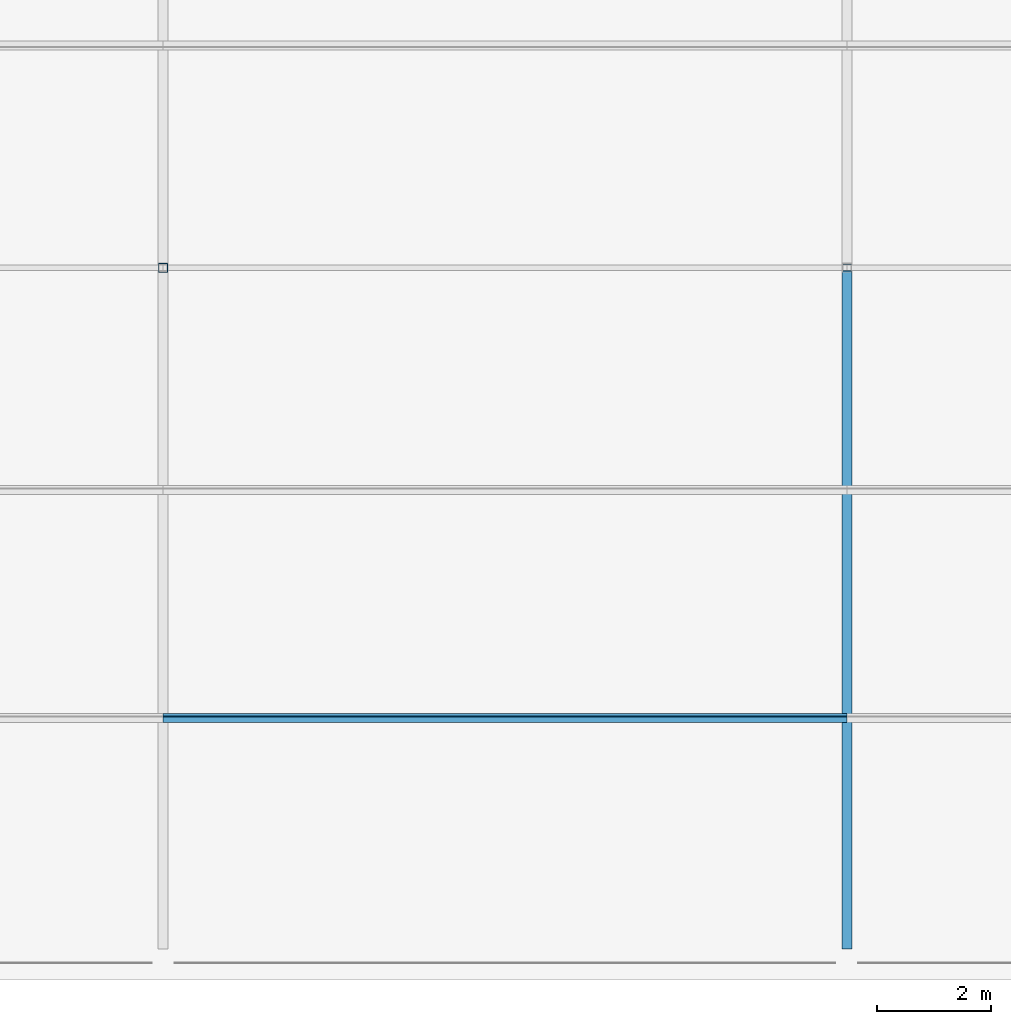
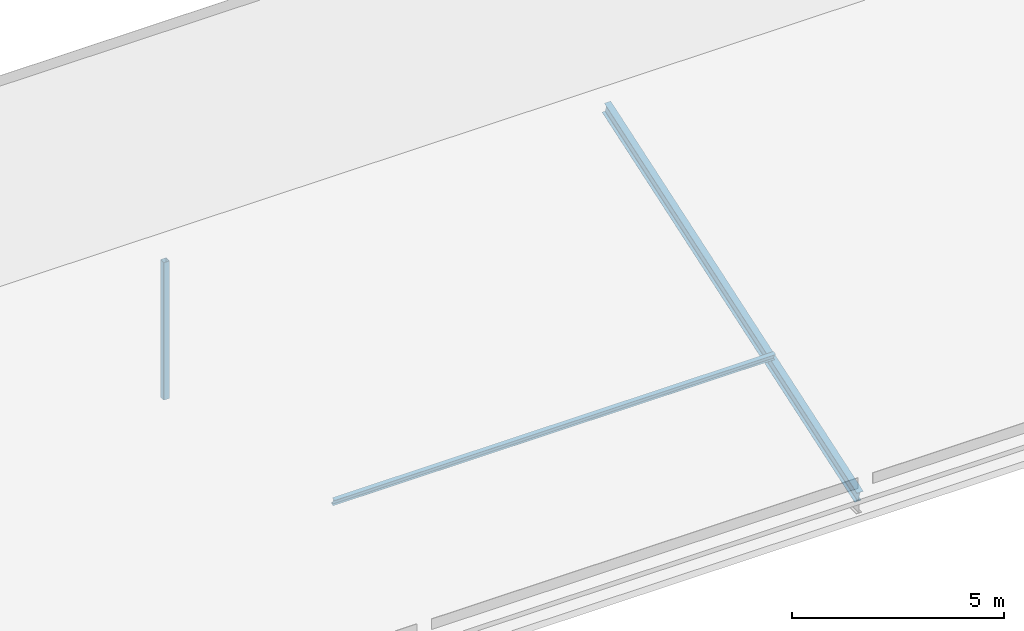
# One storey, part 4 of 12: 3 members.
"""IFC4 building model written with IfcOpenShell, lengths in metres."""

from ifc_helpers import new_model, si_unit, direction, frame, origin, origin_2d, place, context, subcontext, project, spatial, hollow_rectangle, i_section, extrude, material, material_profile, profile_set, type_object, element, save


model = new_model("IFC4")

# Units and contexts
model_context = context("Model", 3, precision=1e-05, world=origin(), true_north=direction((0.0, 1.0)))
body_context = subcontext(model_context, "Body", "Model", "MODEL_VIEW")
ifc_project = project(units=[si_unit("LENGTHUNIT", "METRE"), si_unit("AREAUNIT", "SQUARE_METRE"), si_unit("VOLUMEUNIT", "CUBIC_METRE"), si_unit("PLANEANGLEUNIT", "RADIAN"), si_unit("MASSUNIT", "GRAM", prefix="KILO")], contexts=[model_context])

# Site, building, storey
site_placement = place(None, origin())
site = spatial("IfcSite", under=ifc_project, at=site_placement, CompositionType="ELEMENT")
building_placement = place(site_placement, origin())
building = spatial("IfcBuilding", under=site, at=building_placement, Name="Lilac Gate Convention Centre", CompositionType="ELEMENT")
storey_placement = place(building_placement, frame((0.0, 0.0, 71.39990234375)))
storey = spatial("IfcBuildingStorey", under=building, at=storey_placement, Name="Roof", CompositionType="ELEMENT", Elevation=71.39990234375)

# Members
ifc_material = material(Name="Steel Q355B", Category="steel")
ifc_material_profile_1 = material_profile(ifc_material, hollow_rectangle(XDim=0.159912109375, YDim=0.159912109375, WallThickness=0.006103515625, InnerFilletRadius=0.006103515625, OuterFilletRadius=0.011962890625, at=origin_2d()), Name="SHS160x160x6")
ifc_profile_set_1 = profile_set([ifc_material_profile_1], Name="Steel Q355B")
member_type_1 = type_object("IfcMemberType", Name="Crown king post SHS160x160x6", PredefinedType="STRUT", material=ifc_profile_set_1)
member_1_placement = place(storey_placement, frame((54.0, 234.0, 0.300048828125), z_axis=(0.0, 0.0, 1.0), x_axis=(1.0, 0.0, 0.0)))
element("IfcMember", 1, at=member_1_placement, inside=storey, type_object=member_type_1, Name="CK1 crown frame 2 king post", PredefinedType="STRUT", context=body_context, shape_type="SweptSolid", body=[
    extrude(hollow_rectangle(XDim=0.159912109375, YDim=0.159912109375, WallThickness=0.006103515625, InnerFilletRadius=0.006103515625, OuterFilletRadius=0.011962890625, at=origin_2d()), origin(), (0.0, 0.0, 1.0), 3.954345703125),
])
ifc_material_profile_2 = material_profile(ifc_material, i_section(OverallWidth=0.10009765625, OverallDepth=0.199951171875, WebThickness=0.005615234375, FlangeThickness=0.008056640625, FilletRadius=0.008056640625, at=origin_2d()), Name="HN200x100x5.5x8")
ifc_profile_set_2 = profile_set([ifc_material_profile_2], Name="Steel Q355B")
member_type_2 = type_object("IfcMemberType", Name="Crown purlin HN200x100x5.5x8", PredefinedType="PURLIN", material=ifc_profile_set_2)
member_2_placement = place(storey_placement, frame((54.0, 226.10009765625, 2.1005859375), z_axis=(1.0, 0.0, 0.0), x_axis=(0.0, 0.947883747493, 0.318616385704)))
element("IfcMember", 2, at=member_2_placement, inside=storey, type_object=member_type_2, Name="CU1 crown purlin 1 bay 2", PredefinedType="PURLIN", context=body_context, shape_type="SweptSolid", body=[
    extrude(i_section(OverallWidth=0.10009765625, OverallDepth=0.199951171875, WebThickness=0.005615234375, FlangeThickness=0.008056640625, FilletRadius=0.008056640625, at=origin_2d()), origin(), (0.0, 0.0, 1.0), 12.0),
])
ifc_material_profile_3 = material_profile(ifc_material, i_section(OverallWidth=0.175048828125, OverallDepth=0.35009765625, WebThickness=0.007080078125, FlangeThickness=0.010986328125, FilletRadius=0.012939453125, at=origin_2d()), Name="HN350x175x7x11")
ifc_profile_set_3 = profile_set([ifc_material_profile_3], Name="Steel Q355B")
member_type_3 = type_object("IfcMemberType", Name="Crown rafter HN350x175x7x11", PredefinedType="RAFTER", material=ifc_profile_set_3)
member_3_placement = place(storey_placement, frame((66.0, 222.10009765625, 0.466064453125), z_axis=(0.0, 0.947882957814, 0.318618734989), x_axis=(-1.0, 0.0, 0.0)))
element("IfcMember", 3, at=member_3_placement, inside=storey, type_object=member_type_3, Name="CR1 crown frame 3 rafter S", PredefinedType="RAFTER", context=body_context, shape_type="SweptSolid", body=[
    extrude(i_section(OverallWidth=0.175048828125, OverallDepth=0.35009765625, WebThickness=0.007080078125, FlangeThickness=0.010986328125, FilletRadius=0.012939453125, at=origin_2d()), origin(), (0.0, 0.0, 1.0), 12.55419921875),
])

save(model, "model.ifc")
